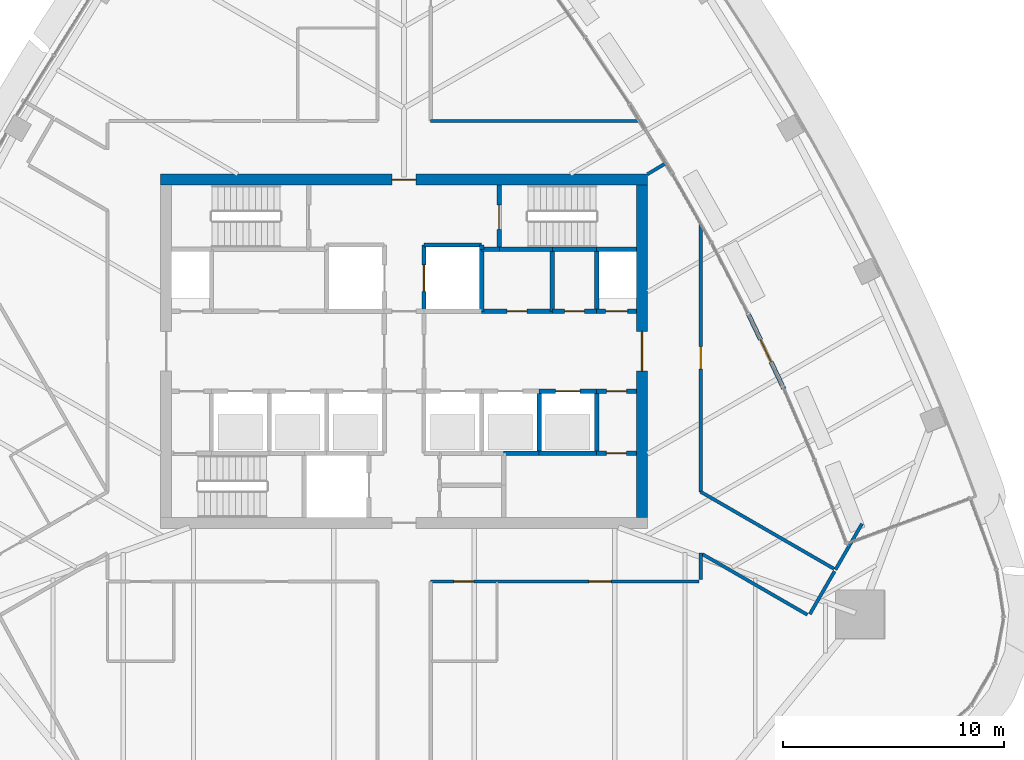
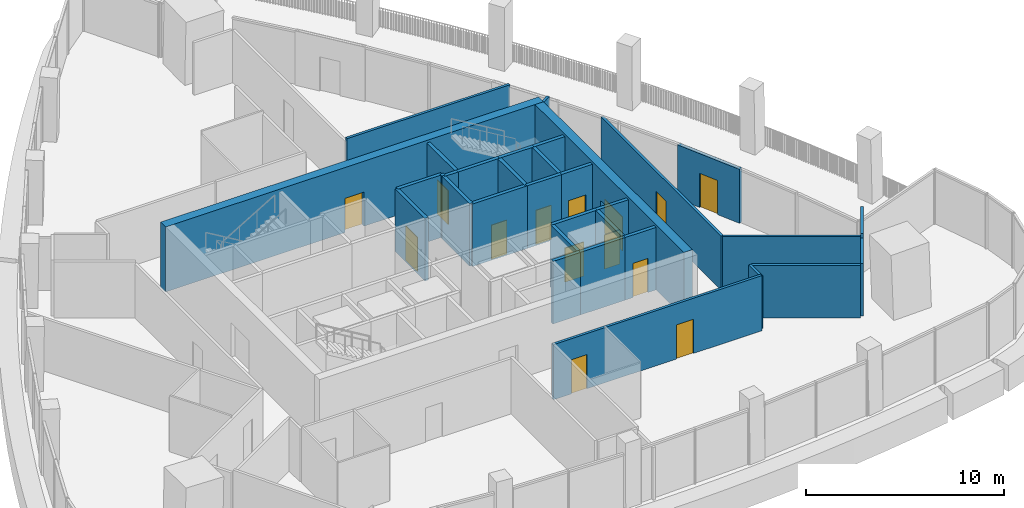
# One storey, part 12 of 18: 33 walls, 14 doors, 14 openings.
"""IFC4 building model written with IfcOpenShell, lengths in metres."""

from ifc_helpers import new_model, si_unit, direction, frame, frame_2d, origin, place, context, subcontext, project, spatial, rectangle, extrude, material, layer, layer_set, type_object, element, fill, save


model = new_model("IFC4")

# Units and contexts
model_context = context("Model", 3, precision=1e-05, world=origin(), true_north=direction((0.0, 1.0)))
body_context = subcontext(model_context, "Body", "Model", "MODEL_VIEW")
ifc_project = project(units=[si_unit("LENGTHUNIT", "METRE"), si_unit("AREAUNIT", "SQUARE_METRE"), si_unit("VOLUMEUNIT", "CUBIC_METRE"), si_unit("PLANEANGLEUNIT", "RADIAN"), si_unit("MASSUNIT", "GRAM", prefix="KILO")], contexts=[model_context])

# Site, building, storey
site_placement = place(None, origin())
site = spatial("IfcSite", under=ifc_project, at=site_placement, CompositionType="ELEMENT")
building_placement = place(site_placement, origin())
building = spatial("IfcBuilding", under=site, at=building_placement, Name="Sierra Prisma Convention Tower", CompositionType="ELEMENT")
storey_placement = place(building_placement, frame((0.0, 0.0, 291.0)))
storey = spatial("IfcBuildingStorey", under=building, at=storey_placement, Name="L66", CompositionType="ELEMENT", Elevation=291.0)

# Walls
ifc_material_1 = material(Name="Concrete C30/37", Category="concrete")
ifc_layer_1 = layer(ifc_material_1, 0.199951171875)
ifc_layer_set_1 = layer_set([ifc_layer_1], Name="Core wall RC 200 C30/37")
wall_type_1 = type_object("IfcWallType", Name="Core wall RC 200 C30/37", PredefinedType="SOLIDWALL", material=ifc_layer_set_1)
wall_1_placement = place(storey_placement, frame((3.5, 4.60009765625, 0.0), z_axis=(0.0, 0.0, 1.0), x_axis=(0.0, 1.0, 0.0)))
element("IfcWall", 1, at=wall_1_placement, inside=storey, type_object=wall_type_1, Name="Core wall L66 37", PredefinedType="SOLIDWALL", context=body_context, shape_type="SweptSolid", body=[
    extrude(rectangle(XDim=0.199951171875, YDim=0.199951171875, at=frame_2d((0.10009765625, 0.0))), origin(), (0.0, 0.0, 1.0), 3.85009765625),
])
wall_2_placement = place(storey_placement, frame((3.5, 4.800048828125, 0.0), z_axis=(0.0, 0.0, 1.0), x_axis=(-1.0, 0.0, 0.0)))
element("IfcWall", 2, at=wall_2_placement, inside=storey, type_object=wall_type_1, Name="Core wall L66 38", PredefinedType="SOLIDWALL", context=body_context, shape_type="SweptSolid", body=[
    extrude(rectangle(XDim=2.60009765625, YDim=0.199951171875, at=frame_2d((1.300048828125, 0.0))), origin(), (0.0, 0.0, 1.0), 3.85009765625),
])

# Wall, opening, door
wall_3_placement = place(storey_placement, frame((0.89990234375, 4.800048828125, 0.0), z_axis=(0.0, 0.0, 1.0), x_axis=(0.0, -1.0, 0.0)))
wall_3 = element("IfcWall", 3, at=wall_3_placement, inside=storey, type_object=wall_type_1, Name="Core wall L66 39", PredefinedType="SOLIDWALL", context=body_context, shape_type="SweptSolid", body=[
    extrude(rectangle(XDim=3.0, YDim=0.199951171875, at=frame_2d((1.5, 0.0))), origin(), (0.0, 0.0, 1.0), 3.85009765625),
])
opening_1_placement = place(wall_3_placement, frame((0.89990234375, 0.0, 0.0)))
opening_1 = element("IfcOpeningElement", 4, at=opening_1_placement, cuts=wall_3, Name="Opening L66-D011", PredefinedType="OPENING", context=body_context, shape_type="SweptSolid", body=[
    extrude(rectangle(XDim=1.199951171875, YDim=2.10009765625, at=frame_2d((0.60009765625, 1.050048828125))), frame((0.0, 0.10009765625, 0.0), z_axis=(0.0, -1.0, 0.0), x_axis=(1.0, 0.0, 0.0)), (0.0, 0.0, 1.0), 0.199951171875),
])
ifc_material_2 = material(Name="Steel fire door leaf", Category="steel")
door_type_1 = type_object("IfcDoorType", Name="Door 1200x2100 EI 90 sliding lift landing", OperationType="SLIDING_TO_LEFT", PredefinedType="DOOR", material=ifc_material_2)
door_1_placement = place(opening_1_placement, origin())
door_1 = element("IfcDoor", 5, at=door_1_placement, inside=storey, type_object=door_type_1, Name="Door L66 19", OperationType="SLIDING_TO_LEFT", OverallHeight=2.10009765625, OverallWidth=1.199951171875, PredefinedType="DOOR", context=body_context, shape_type="SweptSolid", body=[
    extrude(rectangle(XDim=1.199951171875, YDim=2.10009765625, at=frame_2d((0.60009765625, 1.050048828125))), frame((0.0, 0.02490234375, 0.0), z_axis=(0.0, -1.0, 0.0), x_axis=(1.0, 0.0, 0.0)), (0.0, 0.0, 1.0), 0.050048828125),
])
fill(opening_1, door_1)

wall_4_placement = place(storey_placement, frame((3.5, 1.800048828125, 0.0), z_axis=(0.0, 0.0, 1.0), x_axis=(1.0, 0.0, 0.0)))
wall_4 = element("IfcWall", 6, at=wall_4_placement, inside=storey, type_object=wall_type_1, Name="Core wall L66 47", PredefinedType="SOLIDWALL", context=body_context, shape_type="SweptSolid", body=[
    extrude(rectangle(XDim=3.199951171875, YDim=0.199951171875, at=frame_2d((1.60009765625, 0.0))), origin(), (0.0, 0.0, 1.0), 3.85009765625),
])
opening_2_placement = place(wall_4_placement, frame((1.14990234375, 0.0, 0.0)))
opening_2 = element("IfcOpeningElement", 7, at=opening_2_placement, cuts=wall_4, Name="Opening L66-D023", PredefinedType="OPENING", context=body_context, shape_type="SweptSolid", body=[
    extrude(rectangle(XDim=0.89990234375, YDim=2.10009765625, at=frame_2d((0.449951171875, 1.050048828125))), frame((0.0, 0.10009765625, 0.0), z_axis=(0.0, -1.0, 0.0), x_axis=(1.0, 0.0, 0.0)), (0.0, 0.0, 1.0), 0.199951171875),
])
ifc_material_3 = material(Name="Steel fire door leaf", Category="steel")
door_type_2 = type_object("IfcDoorType", Name="Door 900x2100 FD30S", OperationType="SINGLE_SWING_LEFT", PredefinedType="DOOR", material=ifc_material_3)
door_2_placement = place(opening_2_placement, origin())
door_2 = element("IfcDoor", 8, at=door_2_placement, inside=storey, type_object=door_type_2, Name="Door L66 31", OperationType="SINGLE_SWING_LEFT", OverallHeight=2.10009765625, OverallWidth=0.89990234375, PredefinedType="DOOR", context=body_context, shape_type="SweptSolid", body=[
    extrude(rectangle(XDim=0.89990234375, YDim=2.10009765625, at=frame_2d((0.449951171875, 1.050048828125))), frame((0.0, 0.02490234375, 0.0), z_axis=(0.0, -1.0, 0.0), x_axis=(1.0, 0.0, 0.0)), (0.0, 0.0, 1.0), 0.050048828125),
])
fill(opening_2, door_2)

# Walls
wall_5_placement = place(storey_placement, frame((3.5, 4.60009765625, 0.0), z_axis=(0.0, 0.0, 1.0), x_axis=(0.0, -1.0, 0.0)))
element("IfcWall", 9, at=wall_5_placement, inside=storey, type_object=wall_type_1, Name="Core wall L66 48", PredefinedType="SOLIDWALL", context=body_context, shape_type="SweptSolid", body=[
    extrude(rectangle(XDim=2.800048828125, YDim=0.199951171875, at=frame_2d((1.39990234375, 0.0))), origin(), (0.0, 0.0, 1.0), 3.85009765625),
])
wall_6_placement = place(storey_placement, frame((4.300048828125, 4.60009765625, 0.0), z_axis=(0.0, 0.0, 1.0), x_axis=(-1.0, 0.0, 0.0)))
element("IfcWall", 10, at=wall_6_placement, inside=storey, type_object=wall_type_1, Name="Core wall L66 49", PredefinedType="SOLIDWALL", context=body_context, shape_type="SweptSolid", body=[
    extrude(rectangle(XDim=0.800048828125, YDim=0.199951171875, at=frame_2d((0.39990234375, 0.0))), origin(), (0.0, 0.0, 1.0), 3.85009765625),
])
wall_7_placement = place(storey_placement, frame((6.699951171875, 4.60009765625, 0.0), z_axis=(0.0, 0.0, 1.0), x_axis=(-1.0, 0.0, 0.0)))
element("IfcWall", 11, at=wall_7_placement, inside=storey, type_object=wall_type_1, Name="Core wall L66 50", PredefinedType="SOLIDWALL", context=body_context, shape_type="SweptSolid", body=[
    extrude(rectangle(XDim=2.39990234375, YDim=0.199951171875, at=frame_2d((1.199951171875, 0.0))), origin(), (0.0, 0.0, 1.0), 3.85009765625),
])

# Wall, opening, door
wall_8_placement = place(storey_placement, frame((4.300048828125, 7.5, 0.0), z_axis=(0.0, 0.0, 1.0), x_axis=(0.0, -1.0, 0.0)))
wall_8 = element("IfcWall", 12, at=wall_8_placement, inside=storey, type_object=wall_type_1, Name="Core wall L66 51", PredefinedType="SOLIDWALL", context=body_context, shape_type="SweptSolid", body=[
    extrude(rectangle(XDim=2.89990234375, YDim=0.199951171875, at=frame_2d((1.449951171875, 0.0))), origin(), (0.0, 0.0, 1.0), 3.85009765625),
])
opening_3_placement = place(wall_8_placement, frame((0.89990234375, 0.0, 0.0)))
opening_3 = element("IfcOpeningElement", 13, at=opening_3_placement, cuts=wall_8, Name="Opening L66-D022", PredefinedType="OPENING", context=body_context, shape_type="SweptSolid", body=[
    extrude(rectangle(XDim=1.10009765625, YDim=2.10009765625, at=frame_2d((0.550048828125, 1.050048828125))), frame((0.0, 0.10009765625, 0.0), z_axis=(0.0, -1.0, 0.0), x_axis=(1.0, 0.0, 0.0)), (0.0, 0.0, 1.0), 0.199951171875),
])
ifc_material_4 = material(Name="Steel fire door leaf", Category="steel")
door_type_3 = type_object("IfcDoorType", Name="Door 1100x2100 FD90S", OperationType="SINGLE_SWING_LEFT", PredefinedType="DOOR", material=ifc_material_4)
door_3_placement = place(opening_3_placement, origin())
door_3 = element("IfcDoor", 14, at=door_3_placement, inside=storey, type_object=door_type_3, Name="Door L66 30", OperationType="SINGLE_SWING_LEFT", OverallHeight=2.10009765625, OverallWidth=1.10009765625, PredefinedType="DOOR", context=body_context, shape_type="SweptSolid", body=[
    extrude(rectangle(XDim=1.10009765625, YDim=2.10009765625, at=frame_2d((0.550048828125, 1.050048828125))), frame((0.0, 0.02490234375, 0.0), z_axis=(0.0, -1.0, 0.0), x_axis=(1.0, 0.0, 0.0)), (0.0, 0.0, 1.0), 0.050048828125),
])
fill(opening_3, door_3)

# Walls
wall_9_placement = place(storey_placement, frame((6.10009765625, -4.60009765625, 0.0), z_axis=(0.0, 0.0, 1.0), x_axis=(-1.0, 0.0, 0.0)))
element("IfcWall", 15, at=wall_9_placement, inside=storey, type_object=wall_type_1, Name="Core wall L66 54", PredefinedType="SOLIDWALL", context=body_context, shape_type="SweptSolid", body=[
    extrude(rectangle(XDim=1.60009765625, YDim=0.199951171875, at=frame_2d((0.800048828125, 0.0))), origin(), (0.0, 0.0, 1.0), 3.85009765625),
])
wall_10_placement = place(storey_placement, frame((8.699951171875, -4.60009765625, 0.0), z_axis=(0.0, 0.0, 1.0), x_axis=(-1.0, 0.0, 0.0)))
element("IfcWall", 16, at=wall_10_placement, inside=storey, type_object=wall_type_1, Name="Core wall L66 55", PredefinedType="SOLIDWALL", context=body_context, shape_type="SweptSolid", body=[
    extrude(rectangle(XDim=2.599853515625, YDim=0.199951171875, at=frame_2d((1.2998046875, 0.0))), origin(), (0.0, 0.0, 1.0), 3.85009765625),
])
wall_11_placement = place(storey_placement, frame((6.10009765625, -4.60009765625, 0.0), z_axis=(0.0, 0.0, 1.0), x_axis=(0.0, 1.0, 0.0)))
element("IfcWall", 17, at=wall_11_placement, inside=storey, type_object=wall_type_1, Name="Core wall L66 56", PredefinedType="SOLIDWALL", context=body_context, shape_type="SweptSolid", body=[
    extrude(rectangle(XDim=2.800048828125, YDim=0.199951171875, at=frame_2d((1.39990234375, 0.0))), origin(), (0.0, 0.0, 1.0), 3.85009765625),
])

# Wall, opening, door
wall_12_placement = place(storey_placement, frame((6.10009765625, -1.800048828125, 0.0), z_axis=(0.0, 0.0, 1.0), x_axis=(1.0, 0.0, 0.0)))
wall_12 = element("IfcWall", 18, at=wall_12_placement, inside=storey, type_object=wall_type_1, Name="Core wall L66 57", PredefinedType="SOLIDWALL", context=body_context, shape_type="SweptSolid", body=[
    extrude(rectangle(XDim=2.599853515625, YDim=0.199951171875, at=frame_2d((1.2998046875, 0.0))), origin(), (0.0, 0.0, 1.0), 3.85009765625),
])
opening_4_placement = place(wall_12_placement, frame((0.75, 0.0, 0.0)))
opening_4 = element("IfcOpeningElement", 19, at=opening_4_placement, cuts=wall_12, Name="Opening L66-D009", PredefinedType="OPENING", context=body_context, shape_type="SweptSolid", body=[
    extrude(rectangle(XDim=1.10009765625, YDim=2.10009765625, at=frame_2d((0.550048828125, 1.050048828125))), frame((0.0, 0.10009765625, 0.0), z_axis=(0.0, -1.0, 0.0), x_axis=(1.0, 0.0, 0.0)), (0.0, 0.0, 1.0), 0.199951171875),
])
ifc_material_5 = material(Name="Steel fire door leaf", Category="steel")
door_type_4 = type_object("IfcDoorType", Name="Door 1100x2100 EI 90 sliding lift landing", OperationType="SLIDING_TO_LEFT", PredefinedType="DOOR", material=ifc_material_5)
door_4_placement = place(opening_4_placement, origin())
door_4 = element("IfcDoor", 20, at=door_4_placement, inside=storey, type_object=door_type_4, Name="Door L66 17", OperationType="SLIDING_TO_LEFT", OverallHeight=2.10009765625, OverallWidth=1.10009765625, PredefinedType="DOOR", context=body_context, shape_type="SweptSolid", body=[
    extrude(rectangle(XDim=1.10009765625, YDim=2.10009765625, at=frame_2d((0.550048828125, 1.050048828125))), frame((0.0, 0.02490234375, 0.0), z_axis=(0.0, -1.0, 0.0), x_axis=(1.0, 0.0, 0.0)), (0.0, 0.0, 1.0), 0.050048828125),
])
fill(opening_4, door_4)

wall_13_placement = place(storey_placement, frame((6.699951171875, 1.800048828125, 0.0), z_axis=(0.0, 0.0, 1.0), x_axis=(1.0, 0.0, 0.0)))
wall_13 = element("IfcWall", 21, at=wall_13_placement, inside=storey, type_object=wall_type_1, Name="Core wall L66 58", PredefinedType="SOLIDWALL", context=body_context, shape_type="SweptSolid", body=[
    extrude(rectangle(XDim=2.0, YDim=0.199951171875, at=frame_2d((1.0, 0.0))), origin(), (0.0, 0.0, 1.0), 3.85009765625),
])
opening_5_placement = place(wall_13_placement, frame((0.550048828125, 0.0, 0.0)))
opening_5 = element("IfcOpeningElement", 22, at=opening_5_placement, cuts=wall_13, Name="Opening L66-D024", PredefinedType="OPENING", context=body_context, shape_type="SweptSolid", body=[
    extrude(rectangle(XDim=0.89990234375, YDim=2.10009765625, at=frame_2d((0.449951171875, 1.050048828125))), frame((0.0, 0.10009765625, 0.0), z_axis=(0.0, -1.0, 0.0), x_axis=(1.0, 0.0, 0.0)), (0.0, 0.0, 1.0), 0.199951171875),
])
door_5_placement = place(opening_5_placement, origin())
door_5 = element("IfcDoor", 23, at=door_5_placement, inside=storey, type_object=door_type_2, Name="Door L66 32", OperationType="SINGLE_SWING_LEFT", OverallHeight=2.10009765625, OverallWidth=0.89990234375, PredefinedType="DOOR", context=body_context, shape_type="SweptSolid", body=[
    extrude(rectangle(XDim=0.89990234375, YDim=2.10009765625, at=frame_2d((0.449951171875, 1.050048828125))), frame((0.0, 0.02490234375, 0.0), z_axis=(0.0, -1.0, 0.0), x_axis=(1.0, 0.0, 0.0)), (0.0, 0.0, 1.0), 0.050048828125),
])
fill(opening_5, door_5)

# Walls
wall_14_placement = place(storey_placement, frame((6.699951171875, 1.800048828125, 0.0), z_axis=(0.0, 0.0, 1.0), x_axis=(0.0, 1.0, 0.0)))
element("IfcWall", 24, at=wall_14_placement, inside=storey, type_object=wall_type_1, Name="Core wall L66 59", PredefinedType="SOLIDWALL", context=body_context, shape_type="SweptSolid", body=[
    extrude(rectangle(XDim=2.800048828125, YDim=0.199951171875, at=frame_2d((1.39990234375, 0.0))), origin(), (0.0, 0.0, 1.0), 3.85009765625),
])
wall_15_placement = place(storey_placement, frame((8.699951171875, 4.60009765625, 0.0), z_axis=(0.0, 0.0, 1.0), x_axis=(-1.0, 0.0, 0.0)))
element("IfcWall", 25, at=wall_15_placement, inside=storey, type_object=wall_type_1, Name="Core wall L66 60", PredefinedType="SOLIDWALL", context=body_context, shape_type="SweptSolid", body=[
    extrude(rectangle(XDim=2.0, YDim=0.199951171875, at=frame_2d((1.0, 0.0))), origin(), (0.0, 0.0, 1.0), 3.85009765625),
])

# Wall, opening, door
wall_16_placement = place(storey_placement, frame((10.5, -4.60009765625, 0.0), z_axis=(0.0, 0.0, 1.0), x_axis=(-1.0, 0.0, 0.0)))
wall_16 = element("IfcWall", 26, at=wall_16_placement, inside=storey, type_object=wall_type_1, Name="Core wall L66 61", PredefinedType="SOLIDWALL", context=body_context, shape_type="SweptSolid", body=[
    extrude(rectangle(XDim=1.800048828125, YDim=0.199951171875, at=frame_2d((0.89990234375, 0.0))), origin(), (0.0, 0.0, 1.0), 3.85009765625),
])
opening_6_placement = place(wall_16_placement, frame((0.4599609375, 0.0, 0.0)))
opening_6 = element("IfcOpeningElement", 27, at=opening_6_placement, cuts=wall_16, Name="Opening L66-D026", PredefinedType="OPENING", context=body_context, shape_type="SweptSolid", body=[
    extrude(rectangle(XDim=0.89990234375, YDim=2.10009765625, at=frame_2d((0.449951171875, 1.050048828125))), frame((0.0, 0.10009765625, 0.0), z_axis=(0.0, -1.0, 0.0), x_axis=(1.0, 0.0, 0.0)), (0.0, 0.0, 1.0), 0.199951171875),
])
door_6_placement = place(opening_6_placement, origin())
door_6 = element("IfcDoor", 28, at=door_6_placement, inside=storey, type_object=door_type_2, Name="Door L66 34", OperationType="SINGLE_SWING_RIGHT", OverallHeight=2.10009765625, OverallWidth=0.89990234375, PredefinedType="DOOR", context=body_context, shape_type="SweptSolid", body=[
    extrude(rectangle(XDim=0.89990234375, YDim=2.10009765625, at=frame_2d((0.449951171875, 1.050048828125))), frame((0.0, 0.02490234375, 0.0), z_axis=(0.0, -1.0, 0.0), x_axis=(1.0, 0.0, 0.0)), (0.0, 0.0, 1.0), 0.050048828125),
])
fill(opening_6, door_6)

# Wall
wall_17_placement = place(storey_placement, frame((8.699951171875, -1.800048828125, 0.0), z_axis=(0.0, 0.0, 1.0), x_axis=(0.0, -1.0, 0.0)))
element("IfcWall", 29, at=wall_17_placement, inside=storey, type_object=wall_type_1, Name="Core wall L66 62", PredefinedType="SOLIDWALL", context=body_context, shape_type="SweptSolid", body=[
    extrude(rectangle(XDim=2.800048828125, YDim=0.199951171875, at=frame_2d((1.39990234375, 0.0))), origin(), (0.0, 0.0, 1.0), 3.85009765625),
])

# Wall, opening, door
wall_18_placement = place(storey_placement, frame((8.699951171875, -1.800048828125, 0.0), z_axis=(0.0, 0.0, 1.0), x_axis=(1.0, 0.0, 0.0)))
wall_18 = element("IfcWall", 30, at=wall_18_placement, inside=storey, type_object=wall_type_1, Name="Core wall L66 63", PredefinedType="SOLIDWALL", context=body_context, shape_type="SweptSolid", body=[
    extrude(rectangle(XDim=1.800048828125, YDim=0.199951171875, at=frame_2d((0.89990234375, 0.0))), origin(), (0.0, 0.0, 1.0), 3.85009765625),
])
opening_7_placement = place(wall_18_placement, frame((0.449951171875, 0.0, 0.0)))
opening_7 = element("IfcOpeningElement", 31, at=opening_7_placement, cuts=wall_18, Name="Opening L66-D027", PredefinedType="OPENING", context=body_context, shape_type="SweptSolid", body=[
    extrude(rectangle(XDim=0.89990234375, YDim=2.10009765625, at=frame_2d((0.449951171875, 1.050048828125))), frame((0.0, 0.10009765625, 0.0), z_axis=(0.0, -1.0, 0.0), x_axis=(1.0, 0.0, 0.0)), (0.0, 0.0, 1.0), 0.199951171875),
])
door_7_placement = place(opening_7_placement, origin())
door_7 = element("IfcDoor", 32, at=door_7_placement, inside=storey, type_object=door_type_2, Name="Door L66 35", OperationType="SINGLE_SWING_RIGHT", OverallHeight=2.10009765625, OverallWidth=0.89990234375, PredefinedType="DOOR", context=body_context, shape_type="SweptSolid", body=[
    extrude(rectangle(XDim=0.89990234375, YDim=2.10009765625, at=frame_2d((0.449951171875, 1.050048828125))), frame((0.0, 0.02490234375, 0.0), z_axis=(0.0, -1.0, 0.0), x_axis=(1.0, 0.0, 0.0)), (0.0, 0.0, 1.0), 0.050048828125),
])
fill(opening_7, door_7)

wall_19_placement = place(storey_placement, frame((10.5, 1.800048828125, 0.0), z_axis=(0.0, 0.0, 1.0), x_axis=(-1.0, 0.0, 0.0)))
wall_19 = element("IfcWall", 33, at=wall_19_placement, inside=storey, type_object=wall_type_1, Name="Core wall L66 64", PredefinedType="SOLIDWALL", context=body_context, shape_type="SweptSolid", body=[
    extrude(rectangle(XDim=1.800048828125, YDim=0.199951171875, at=frame_2d((0.89990234375, 0.0))), origin(), (0.0, 0.0, 1.0), 3.85009765625),
])
opening_8_placement = place(wall_19_placement, frame((0.39990234375, 0.0, 0.0)))
opening_8 = element("IfcOpeningElement", 34, at=opening_8_placement, cuts=wall_19, Name="Opening L66-D019", PredefinedType="OPENING", context=body_context, shape_type="SweptSolid", body=[
    extrude(rectangle(XDim=1.0, YDim=2.10009765625, at=frame_2d((0.5, 1.050048828125))), frame((0.0, 0.10009765625, 0.0), z_axis=(0.0, -1.0, 0.0), x_axis=(1.0, 0.0, 0.0)), (0.0, 0.0, 1.0), 0.199951171875),
])
ifc_material_6 = material(Name="Steel fire door leaf", Category="steel")
door_type_5 = type_object("IfcDoorType", Name="Door 1000x2100 FD60S", OperationType="SINGLE_SWING_LEFT", PredefinedType="DOOR", material=ifc_material_6)
door_8_placement = place(opening_8_placement, origin())
door_8 = element("IfcDoor", 35, at=door_8_placement, inside=storey, type_object=door_type_5, Name="Door L66 27", OperationType="SINGLE_SWING_RIGHT", OverallHeight=2.10009765625, OverallWidth=1.0, PredefinedType="DOOR", context=body_context, shape_type="SweptSolid", body=[
    extrude(rectangle(XDim=1.0, YDim=2.10009765625, at=frame_2d((0.5, 1.050048828125))), frame((0.0, 0.02490234375, 0.0), z_axis=(0.0, -1.0, 0.0), x_axis=(1.0, 0.0, 0.0)), (0.0, 0.0, 1.0), 0.050048828125),
])
fill(opening_8, door_8)

# Walls
wall_20_placement = place(storey_placement, frame((8.699951171875, 1.800048828125, 0.0), z_axis=(0.0, 0.0, 1.0), x_axis=(0.0, 1.0, 0.0)))
element("IfcWall", 36, at=wall_20_placement, inside=storey, type_object=wall_type_1, Name="Core wall L66 65", PredefinedType="SOLIDWALL", context=body_context, shape_type="SweptSolid", body=[
    extrude(rectangle(XDim=2.800048828125, YDim=0.199951171875, at=frame_2d((1.39990234375, 0.0))), origin(), (0.0, 0.0, 1.0), 3.85009765625),
])
wall_21_placement = place(storey_placement, frame((10.5, 4.60009765625, 0.0), z_axis=(0.0, 0.0, 1.0), x_axis=(-1.0, 0.0, 0.0)))
element("IfcWall", 37, at=wall_21_placement, inside=storey, type_object=wall_type_1, Name="Core wall L66 66", PredefinedType="SOLIDWALL", context=body_context, shape_type="SweptSolid", body=[
    extrude(rectangle(XDim=1.800048828125, YDim=0.199951171875, at=frame_2d((0.89990234375, 0.0))), origin(), (0.0, 0.0, 1.0), 3.85009765625),
])

# Wall, opening, door
ifc_material_7 = material(Name="Concrete C50/60", Category="concrete")
ifc_layer_2 = layer(ifc_material_7, 0.5)
ifc_layer_set_2 = layer_set([ifc_layer_2], Name="Core wall RC 500 C50/60")
wall_type_2 = type_object("IfcWallType", Name="Core wall RC 500 C50/60", PredefinedType="SHEAR", material=ifc_layer_set_2)
wall_22_placement = place(storey_placement, frame((-11.0, 7.75, 0.0), z_axis=(0.0, 0.0, 1.0), x_axis=(1.0, 0.0, 0.0)))
wall_22 = element("IfcWall", 38, at=wall_22_placement, inside=storey, type_object=wall_type_2, Name="Core wall N L66", PredefinedType="SHEAR", context=body_context, shape_type="SweptSolid", body=[
    extrude(rectangle(XDim=22.0, YDim=0.5, at=frame_2d((11.0, 0.0))), origin(), (0.0, 0.0, 1.0), 4.0),
])
opening_9_placement = place(wall_22_placement, frame((10.449951171875, 0.0, 0.0)))
opening_9 = element("IfcOpeningElement", 39, at=opening_9_placement, cuts=wall_22, Name="Opening L66-D042", PredefinedType="OPENING", context=body_context, shape_type="SweptSolid", body=[
    extrude(rectangle(XDim=1.10009765625, YDim=2.10009765625, at=frame_2d((0.550048828125, 1.050048828125))), frame((0.0, 0.25, 0.0), z_axis=(0.0, -1.0, 0.0), x_axis=(1.0, 0.0, 0.0)), (0.0, 0.0, 1.0), 0.5),
])
ifc_material_8 = material(Name="Steel fire door leaf", Category="steel")
door_type_6 = type_object("IfcDoorType", Name="Door 1100x2100 FD60S", OperationType="SINGLE_SWING_LEFT", PredefinedType="DOOR", material=ifc_material_8)
door_9_placement = place(opening_9_placement, origin())
door_9 = element("IfcDoor", 40, at=door_9_placement, inside=storey, type_object=door_type_6, Name="Door L66 40", OperationType="SINGLE_SWING_RIGHT", OverallHeight=2.10009765625, OverallWidth=1.10009765625, PredefinedType="DOOR", context=body_context, shape_type="SweptSolid", body=[
    extrude(rectangle(XDim=1.10009765625, YDim=2.10009765625, at=frame_2d((0.550048828125, 1.050048828125))), frame((0.0, 0.02490234375, 0.0), z_axis=(0.0, -1.0, 0.0), x_axis=(1.0, 0.0, 0.0)), (0.0, 0.0, 1.0), 0.050048828125),
])
fill(opening_9, door_9)

wall_23_placement = place(storey_placement, frame((10.75, -7.5, 0.0), z_axis=(0.0, 0.0, 1.0), x_axis=(0.0, 1.0, 0.0)))
wall_23 = element("IfcWall", 41, at=wall_23_placement, inside=storey, type_object=wall_type_2, Name="Core wall E L66", PredefinedType="SHEAR", context=body_context, shape_type="SweptSolid", body=[
    extrude(rectangle(XDim=15.0, YDim=0.5, at=frame_2d((7.5, 0.0))), origin(), (0.0, 0.0, 1.0), 4.0),
])
opening_10_placement = place(wall_23_placement, frame((6.60009765625, 0.0, 0.0)))
opening_10 = element("IfcOpeningElement", 42, at=opening_10_placement, cuts=wall_23, Name="Opening L66-D041", PredefinedType="OPENING", context=body_context, shape_type="SweptSolid", body=[
    extrude(rectangle(XDim=1.800048828125, YDim=2.10009765625, at=frame_2d((0.89990234375, 1.050048828125))), frame((0.0, 0.25, 0.0), z_axis=(0.0, -1.0, 0.0), x_axis=(1.0, 0.0, 0.0)), (0.0, 0.0, 1.0), 0.5),
])
ifc_material_9 = material(Name="Steel fire door leaf", Category="steel")
door_type_7 = type_object("IfcDoorType", Name="Door 1800x2100 FD60S", OperationType="DOUBLE_DOOR_SINGLE_SWING", PredefinedType="DOOR", material=ifc_material_9)
door_10_placement = place(opening_10_placement, origin())
door_10 = element("IfcDoor", 43, at=door_10_placement, inside=storey, type_object=door_type_7, Name="Door L66 39", OperationType="DOUBLE_DOOR_SINGLE_SWING", OverallHeight=2.10009765625, OverallWidth=1.800048828125, PredefinedType="DOOR", context=body_context, shape_type="SweptSolid", body=[
    extrude(rectangle(XDim=1.800048828125, YDim=2.10009765625, at=frame_2d((0.89990234375, 1.050048828125))), frame((0.0, 0.02490234375, 0.0), z_axis=(0.0, -1.0, 0.0), x_axis=(1.0, 0.0, 0.0)), (0.0, 0.0, 1.0), 0.050048828125),
])
fill(opening_10, door_10)

# Wall, openings, doors
ifc_material_10 = material(Name="Gypsum board partition", Category="gypsum")
ifc_layer_3 = layer(ifc_material_10, 0.14990234375)
ifc_layer_set_3 = layer_set([ifc_layer_3], Name="Corridor wall 150 gypsum EI 60")
wall_type_3 = type_object("IfcWallType", Name="Corridor wall 150 gypsum EI 60", PredefinedType="PARTITIONING", material=ifc_layer_set_3)
wall_24_placement = place(storey_placement, frame((1.199951171875, -10.39990234375, 0.0), z_axis=(0.0, 0.0, 1.0), x_axis=(1.0, 0.0, 0.0)))
wall_24 = element("IfcWall", 44, at=wall_24_placement, inside=storey, type_object=wall_type_3, Name="Partition L66 corr 18", PredefinedType="PARTITIONING", context=body_context, shape_type="SweptSolid", body=[
    extrude(rectangle(XDim=12.1201171875, YDim=0.14990234375, at=frame_2d((6.06005859375, 0.0))), origin(), (0.0, 0.0, 1.0), 3.39306640625),
])
opening_11_placement = place(wall_24_placement, frame((1.050048828125, 0.0, 0.0)))
opening_11 = element("IfcOpeningElement", 45, at=opening_11_placement, cuts=wall_24, Name="Opening L66-D038", PredefinedType="OPENING", context=body_context, shape_type="SweptSolid", body=[
    extrude(rectangle(XDim=0.89990234375, YDim=2.10009765625, at=frame_2d((0.449951171875, 1.050048828125))), frame((0.0, 0.074951171875, 0.0), z_axis=(0.0, -1.0, 0.0), x_axis=(1.0, 0.0, 0.0)), (0.0, 0.0, 1.0), 0.14990234375),
])
opening_12_placement = place(wall_24_placement, frame((7.14990234375, 0.0, 0.0)))
opening_12 = element("IfcOpeningElement", 46, at=opening_12_placement, cuts=wall_24, Name="Opening L66-D039", PredefinedType="OPENING", context=body_context, shape_type="SweptSolid", body=[
    extrude(rectangle(XDim=1.0, YDim=2.10009765625, at=frame_2d((0.5, 1.050048828125))), frame((0.0, 0.074951171875, 0.0), z_axis=(0.0, -1.0, 0.0), x_axis=(1.0, 0.0, 0.0)), (0.0, 0.0, 1.0), 0.14990234375),
])
ifc_material_11 = material(Name="Steel fire door leaf", Category="steel")
door_type_8 = type_object("IfcDoorType", Name="Door 1000x2100 FD30S", OperationType="SINGLE_SWING_LEFT", PredefinedType="DOOR", material=ifc_material_11)
door_11_placement = place(opening_12_placement, origin())
door_11 = element("IfcDoor", 47, at=door_11_placement, inside=storey, type_object=door_type_8, Name="Door L66 10", OperationType="SINGLE_SWING_LEFT", OverallHeight=2.10009765625, OverallWidth=1.0, PredefinedType="DOOR", context=body_context, shape_type="SweptSolid", body=[
    extrude(rectangle(XDim=1.0, YDim=2.10009765625, at=frame_2d((0.5, 1.050048828125))), frame((0.0, 0.02490234375, 0.0), z_axis=(0.0, -1.0, 0.0), x_axis=(1.0, 0.0, 0.0)), (0.0, 0.0, 1.0), 0.050048828125),
])
fill(opening_12, door_11)
door_12_placement = place(opening_11_placement, origin())
door_12 = element("IfcDoor", 48, at=door_12_placement, inside=storey, type_object=door_type_2, Name="Door L66 9", OperationType="SINGLE_SWING_RIGHT", OverallHeight=2.10009765625, OverallWidth=0.89990234375, PredefinedType="DOOR", context=body_context, shape_type="SweptSolid", body=[
    extrude(rectangle(XDim=0.89990234375, YDim=2.10009765625, at=frame_2d((0.449951171875, 1.050048828125))), frame((0.0, 0.02490234375, 0.0), z_axis=(0.0, -1.0, 0.0), x_axis=(1.0, 0.0, 0.0)), (0.0, 0.0, 1.0), 0.050048828125),
])
fill(opening_11, door_12)

# Walls
wall_25_placement = place(storey_placement, frame((10.664794921875, 10.39990234375, 0.0), z_axis=(0.0, 0.0, 1.0), x_axis=(-1.0, 0.0, 0.0)))
element("IfcWall", 49, at=wall_25_placement, inside=storey, type_object=wall_type_3, Name="Partition L66 corr 19", PredefinedType="PARTITIONING", context=body_context, shape_type="SweptSolid", body=[
    extrude(rectangle(XDim=9.46484375, YDim=0.14990234375, at=frame_2d((4.732421875, 0.0))), origin(), (0.0, 0.0, 1.0), 3.449951171875),
])
wall_26_placement = place(storey_placement, frame((11.0, 8.0, 0.0), z_axis=(0.0, 0.0, 1.0), x_axis=(0.856868556797, 0.515534941951, 0.0)))
element("IfcWall", 50, at=wall_26_placement, inside=storey, type_object=wall_type_3, Name="Partition L66 corr 21", PredefinedType="PARTITIONING", context=body_context, shape_type="SweptSolid", body=[
    extrude(rectangle(XDim=0.967041015625, YDim=0.14990234375, at=frame_2d((0.4833984375, 0.0))), origin(), (0.0, 0.0, 1.0), 3.449951171875),
])
wall_27_placement = place(storey_placement, frame((13.39990234375, -10.320068359375, 0.0), z_axis=(0.0, 0.0, 1.0), x_axis=(0.0, 1.0, 0.0)))
element("IfcWall", 51, at=wall_27_placement, inside=storey, type_object=wall_type_3, Name="Partition L66 corr 22", PredefinedType="PARTITIONING", context=body_context, shape_type="SweptSolid", body=[
    extrude(rectangle(XDim=1.197998046875, YDim=0.14990234375, at=frame_2d((0.59912109375, 0.0))), origin(), (0.0, 0.0, 1.0), 3.23291015625),
])
wall_28_placement = place(storey_placement, frame((13.479248046875, -9.16796875, 0.0), z_axis=(0.0, 0.0, 1.0), x_axis=(0.866019989099, -0.500009378393, 0.0)))
element("IfcWall", 52, at=wall_28_placement, inside=storey, type_object=wall_type_3, Name="Partition L66 corr 23", PredefinedType="PARTITIONING", context=body_context, shape_type="SweptSolid", body=[
    extrude(rectangle(XDim=5.47509765625, YDim=0.14990234375, at=frame_2d((2.737548828125, 0.0))), origin(), (0.0, 0.0, 1.0), 3.23291015625),
])
wall_29_placement = place(storey_placement, frame((19.4208984375, -9.826904296875, 0.0), z_axis=(0.0, 0.0, 1.0), x_axis=(-0.8660347147, 0.499983872674, 0.0)))
element("IfcWall", 53, at=wall_29_placement, inside=storey, type_object=wall_type_3, Name="Partition L66 corr 24", PredefinedType="PARTITIONING", context=body_context, shape_type="SweptSolid", body=[
    extrude(rectangle(XDim=6.952392578125, YDim=0.14990234375, at=frame_2d((3.47607421875, 0.0))), origin(), (0.0, 0.0, 1.0), 3.31689453125),
])

# Wall, opening, door
wall_30_placement = place(storey_placement, frame((13.39990234375, -6.350830078125, 0.0), z_axis=(0.0, 0.0, 1.0), x_axis=(0.0, 1.0, 0.0)))
wall_30 = element("IfcWall", 54, at=wall_30_placement, inside=storey, type_object=wall_type_3, Name="Partition L66 corr 25", PredefinedType="PARTITIONING", context=body_context, shape_type="SweptSolid", body=[
    extrude(rectangle(XDim=12.118408203125, YDim=0.14990234375, at=frame_2d((6.05908203125, 0.0))), origin(), (0.0, 0.0, 1.0), 3.31689453125),
])
opening_13_placement = place(wall_30_placement, frame((5.55908203125, 0.0, 0.0)))
opening_13 = element("IfcOpeningElement", 55, at=opening_13_placement, cuts=wall_30, Name="Opening L66-D040", PredefinedType="OPENING", context=body_context, shape_type="SweptSolid", body=[
    extrude(rectangle(XDim=1.0, YDim=2.10009765625, at=frame_2d((0.5, 1.050048828125))), frame((0.0, 0.074951171875, 0.0), z_axis=(0.0, -1.0, 0.0), x_axis=(1.0, 0.0, 0.0)), (0.0, 0.0, 1.0), 0.14990234375),
])
door_13_placement = place(opening_13_placement, origin())
door_13 = element("IfcDoor", 56, at=door_13_placement, inside=storey, type_object=door_type_8, Name="Door L66 11", OperationType="SINGLE_SWING_LEFT", OverallHeight=2.10009765625, OverallWidth=1.0, PredefinedType="DOOR", context=body_context, shape_type="SweptSolid", body=[
    extrude(rectangle(XDim=1.0, YDim=2.10009765625, at=frame_2d((0.5, 1.050048828125))), frame((0.0, 0.02490234375, 0.0), z_axis=(0.0, -1.0, 0.0), x_axis=(1.0, 0.0, 0.0)), (0.0, 0.0, 1.0), 0.050048828125),
])
fill(opening_13, door_13)

# Walls
wall_31_placement = place(storey_placement, frame((18.330078125, -11.876220703125, 0.0), z_axis=(0.0, 0.0, 1.0), x_axis=(0.500030632641, 0.866007717299, 0.0)))
element("IfcWall", 57, at=wall_31_placement, inside=storey, type_object=wall_type_3, Name="Partition L66 corr 26", PredefinedType="PARTITIONING", context=body_context, shape_type="SweptSolid", body=[
    extrude(rectangle(XDim=2.239990234375, YDim=0.14990234375, at=frame_2d((1.1201171875, 0.0))), origin(), (0.0, 0.0, 1.0), 3.23291015625),
])
ifc_material_12 = material(Name="Gypsum board partition", Category="gypsum")
ifc_layer_4 = layer(ifc_material_12, 0.14990234375)
ifc_layer_set_4 = layer_set([ifc_layer_4], Name="Party wall 150 gypsum")
wall_type_4 = type_object("IfcWallType", Name="Party wall 150 gypsum", PredefinedType="PARTITIONING", material=ifc_layer_set_4)
wall_32_placement = place(storey_placement, frame((19.489990234375, -9.866943359375, 0.0), z_axis=(0.0, 0.0, 1.0), x_axis=(0.500046351717, 0.865998640954, 0.0)))
element("IfcWall", 58, at=wall_32_placement, inside=storey, type_object=wall_type_4, Name="Partition L66 party 5", PredefinedType="PARTITIONING", context=body_context, shape_type="SweptSolid", body=[
    extrude(rectangle(XDim=2.392333984375, YDim=0.14990234375, at=frame_2d((1.1962890625, 0.0))), origin(), (0.0, 0.0, 1.0), 3.449951171875),
])

# Wall, opening, door
ifc_material_13 = material(Name="Precast concrete C40/50", Category="concrete")
ifc_layer_5 = layer(ifc_material_13, 0.199951171875)
ifc_layer_set_5 = layer_set([ifc_layer_5], Name="Terrace door pier")
wall_type_5 = type_object("IfcWallType", Name="Terrace door pier", PredefinedType="SOLIDWALL", material=ifc_layer_set_5)
wall_33_placement = place(storey_placement, frame((17.156982421875, -1.7021484375, 0.0), z_axis=(0.0, 0.0, 1.0), x_axis=(-0.428450031592, 0.903565476559, 0.0)))
wall_33 = element("IfcWall", 59, at=wall_33_placement, inside=storey, type_object=wall_type_5, Name="Terrace door bay L66.3", PredefinedType="SOLIDWALL", context=body_context, shape_type="SweptSolid", body=[
    extrude(rectangle(XDim=3.80859375, YDim=0.199951171875, at=frame_2d((1.904296875, 0.0))), origin(), (0.0, 0.0, 1.0), 3.31689453125),
])
opening_14_placement = place(wall_33_placement, frame((1.354248046875, 0.0, 0.0)))
opening_14 = element("IfcOpeningElement", 60, at=opening_14_placement, cuts=wall_33, Name="Opening L66-D001", PredefinedType="OPENING", context=body_context, shape_type="SweptSolid", body=[
    extrude(rectangle(XDim=1.10009765625, YDim=2.10009765625, at=frame_2d((0.550048828125, 1.050048828125))), frame((0.0, 0.10009765625, 0.0), z_axis=(0.0, -1.0, 0.0), x_axis=(1.0, 0.0, 0.0)), (0.0, 0.0, 1.0), 0.199951171875),
])
ifc_material_14 = material(Name="Bronze anodised aluminium and glass", Category="aluminium")
door_type_9 = type_object("IfcDoorType", Name="Terrace door 1100 x 2100", OperationType="SINGLE_SWING_LEFT", PredefinedType="DOOR", material=ifc_material_14)
door_14_placement = place(opening_14_placement, origin())
door_14 = element("IfcDoor", 61, at=door_14_placement, inside=storey, type_object=door_type_9, Name="Terrace door L66.3", OperationType="SINGLE_SWING_LEFT", OverallHeight=2.10009765625, OverallWidth=1.10009765625, PredefinedType="DOOR", context=body_context, shape_type="SweptSolid", body=[
    extrude(rectangle(XDim=1.10009765625, YDim=2.10009765625, at=frame_2d((0.550048828125, 1.050048828125))), frame((0.0, 0.02490234375, 0.0), z_axis=(0.0, -1.0, 0.0), x_axis=(1.0, 0.0, 0.0)), (0.0, 0.0, 1.0), 0.050048828125),
])
fill(opening_14, door_14)

save(model, "model.ifc")
